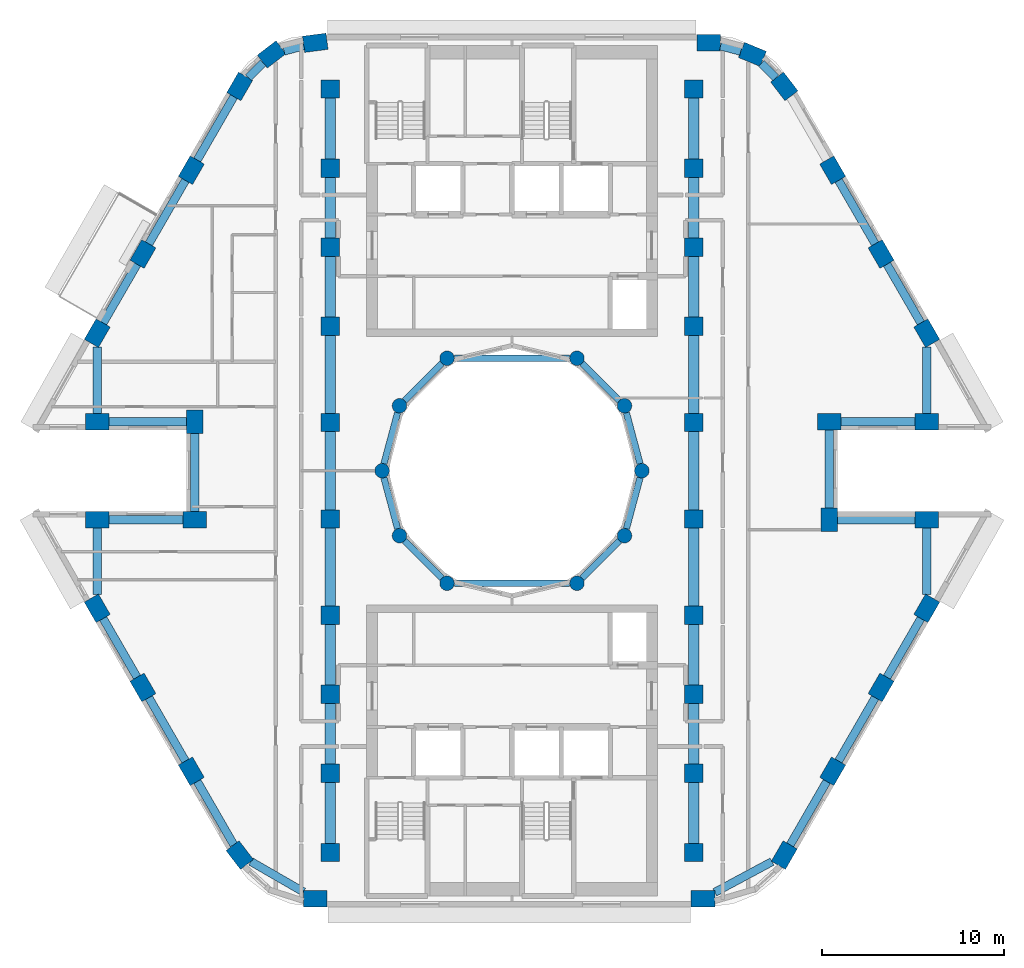
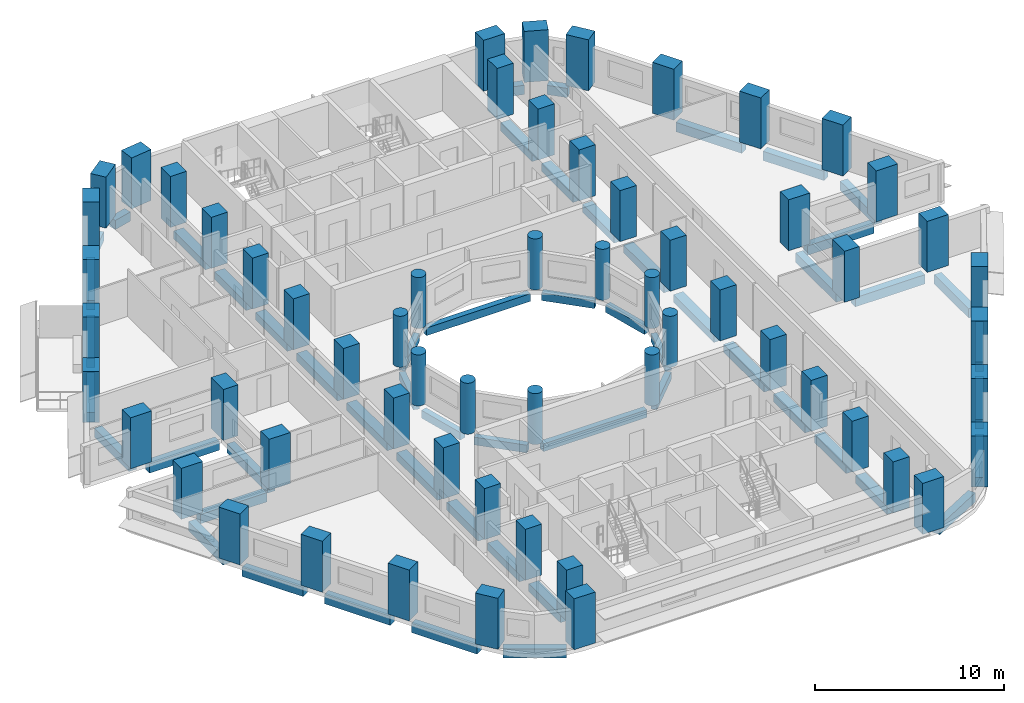
# One storey, part 1 of 13: 60 columns, 55 beams.
"""IFC4 building model written with IfcOpenShell, lengths in metres."""

from ifc_helpers import new_model, si_unit, direction, frame, origin, origin_2d, place, context, subcontext, project, spatial, rectangle, circle, extrude, material, material_profile, profile_set, type_object, element, save


model = new_model("IFC4")

# Units and contexts
model_context = context("Model", 3, precision=1e-05, world=origin(), true_north=direction((0.0, 1.0)))
body_context = subcontext(model_context, "Body", "Model", "MODEL_VIEW")
ifc_project = project(units=[si_unit("LENGTHUNIT", "METRE"), si_unit("AREAUNIT", "SQUARE_METRE"), si_unit("VOLUMEUNIT", "CUBIC_METRE"), si_unit("PLANEANGLEUNIT", "RADIAN"), si_unit("MASSUNIT", "GRAM", prefix="KILO")], contexts=[model_context])

# Site, building, storey
site_placement = place(None, origin())
site = spatial("IfcSite", under=ifc_project, at=site_placement, CompositionType="ELEMENT")
building_placement = place(site_placement, origin())
building = spatial("IfcBuilding", under=site, at=building_placement, Name="Nakaniwa Court", CompositionType="ELEMENT")
storey_placement = place(building_placement, frame((0.0, 0.0, 133.800048828125)))
storey = spatial("IfcBuildingStorey", under=building, at=storey_placement, Name="L34", CompositionType="ELEMENT", Elevation=133.800048828125)

# Columns
ifc_material = material(Name="Concrete C80/100", Category="concrete")
ifc_material_profile_1 = material_profile(ifc_material, rectangle(XDim=1.0, YDim=1.0, at=origin_2d()), Name="Concrete C80/100 RC 1000x1000 spine column")
ifc_profile_set_1 = profile_set([ifc_material_profile_1], Name="Concrete C80/100")
column_type_1 = type_object("IfcColumnType", Name="Concrete C80/100 RC 1000x1000 spine column", PredefinedType="COLUMN", material=ifc_profile_set_1)
for number, where, z_axis, x_axis, name in (
    (1, (90.0, 59.0, 0.0), (0.0, 0.0, 1.0), (0.0, 1.0, 0.0), "COLUMN CS-01"),
    (2, (90.0, 63.35009765625, 0.0), (0.0, 0.0, 1.0), (0.0, 1.0, 0.0), "COLUMN CS-02"),
    (3, (90.0, 67.699951171875, 0.0), (0.0, 0.0, 1.0), (0.0, 1.0, 0.0), "COLUMN CS-03"),
    (4, (90.0, 72.050048828125, 0.0), (0.0, 0.0, 1.0), (0.0, 1.0, 0.0), "COLUMN CS-04"),
    (5, (90.0, 77.35009765625, 0.0), (0.0, 0.0, 1.0), (0.0, 1.0, 0.0), "COLUMN CS-05"),
    (6, (90.0, 82.64990234375, 0.0), (0.0, 0.0, 1.0), (0.0, 1.0, 0.0), "COLUMN CS-06"),
    (7, (90.0, 87.949951171875, 0.0), (0.0, 0.0, 1.0), (0.0, 1.0, 0.0), "COLUMN CS-07"),
    (8, (90.0, 92.300048828125, 0.0), (0.0, 0.0, 1.0), (0.0, 1.0, 0.0), "COLUMN CS-08"),
    (9, (90.0, 96.64990234375, 0.0), (0.0, 0.0, 1.0), (0.0, 1.0, 0.0), "COLUMN CS-09"),
    (10, (90.0, 101.0, 0.0), (0.0, 0.0, 1.0), (0.0, 1.0, 0.0), "COLUMN CS-10"),
    (11, (70.0, 101.0, 0.0), (0.0, 0.0, 1.0), (0.0, -1.0, 0.0), "COLUMN CS-11"),
    (12, (70.0, 96.64990234375, 0.0), (0.0, 0.0, 1.0), (0.0, -1.0, 0.0), "COLUMN CS-12"),
    (13, (70.0, 92.300048828125, 0.0), (0.0, 0.0, 1.0), (0.0, -1.0, 0.0), "COLUMN CS-13"),
    (14, (70.0, 87.949951171875, 0.0), (0.0, 0.0, 1.0), (0.0, -1.0, 0.0), "COLUMN CS-14"),
    (15, (70.0, 82.64990234375, 0.0), (0.0, 0.0, 1.0), (0.0, -1.0, 0.0), "COLUMN CS-15"),
    (16, (70.0, 77.35009765625, 0.0), (0.0, 0.0, 1.0), (0.0, -1.0, 0.0), "COLUMN CS-16"),
    (17, (70.0, 72.050048828125, 0.0), (0.0, 0.0, 1.0), (0.0, -1.0, 0.0), "COLUMN CS-17"),
    (18, (70.0, 67.699951171875, 0.0), (0.0, 0.0, 1.0), (0.0, -1.0, 0.0), "COLUMN CS-18"),
    (19, (70.0, 63.35009765625, 0.0), (0.0, 0.0, 1.0), (0.0, -1.0, 0.0), "COLUMN CS-19"),
    (20, (70.0, 59.0, 0.0), (0.0, 0.0, 1.0), (0.0, -1.0, 0.0), "COLUMN CS-20"),
):
    element("IfcColumn", number, at=place(storey_placement, frame(where, z_axis=z_axis, x_axis=x_axis)), inside=storey, type_object=column_type_1, Name=name, PredefinedType="COLUMN", context=body_context, shape_type="SweptSolid", body=[
        extrude(rectangle(XDim=1.0, YDim=1.0, at=origin_2d()), origin(), (0.0, 0.0, 1.0), 3.300048828125),
    ])
ifc_material_profile_2 = material_profile(ifc_material, rectangle(XDim=1.300048828125, YDim=0.89990234375, at=origin_2d()), Name="Concrete C80/100 RC 1300x900 perimeter column")
ifc_profile_set_2 = profile_set([ifc_material_profile_2], Name="Concrete C80/100")
column_type_2 = type_object("IfcColumnType", Name="Concrete C80/100 RC 1300x900 perimeter column", PredefinedType="COLUMN", material=ifc_profile_set_2)
for number, where, z_axis, x_axis, name in (
    (21, (69.17529296875, 103.550048828125, 0.0), (0.0, 0.0, 1.0), (-0.991442583111, -0.130543496177, 0.0), "COLUMN CO-01"),
    (22, (66.772705078125, 102.91015625, 0.0), (0.0, 0.0, 1.0), (-0.793363965062, -0.608747582288, 0.0), "COLUMN CO-02"),
    (23, (65.017578125, 101.1494140625, 0.0), (0.0, 0.0, 1.0), (-0.5, -0.866025403784, 0.0), "COLUMN CO-03"),
    (24, (62.3544921875, 96.537109375, 0.0), (0.0, 0.0, 1.0), (-0.5, -0.866025403784, 0.0), "COLUMN CO-04"),
    (25, (59.691650390625, 91.9248046875, 0.0), (0.0, 0.0, 1.0), (-0.5, -0.866025403784, 0.0), "COLUMN CO-05"),
    (26, (57.177001953125, 87.569580078125, 0.0), (0.0, 0.0, 1.0), (-0.5, -0.866025403784, 0.0), "COLUMN CO-06"),
    (27, (57.177001953125, 82.699951171875, 0.0), (0.0, 0.0, 1.0), (1.0, 0.0, 0.0), "COLUMN CO-08"),
    (28, (62.54150390625, 82.699951171875, 0.0), (0.0, 0.0, 1.0), (0.0, -1.0, 0.0), "COLUMN CO-09"),
    (29, (62.54150390625, 77.300048828125, 0.0), (0.0, 0.0, 1.0), (-1.0, 0.0, 0.0), "COLUMN CO-10"),
    (30, (57.177001953125, 77.300048828125, 0.0), (0.0, 0.0, 1.0), (-1.0, 0.0, 0.0), "COLUMN CO-11"),
    (31, (57.177001953125, 72.430419921875, 0.0), (0.0, 0.0, 1.0), (0.5, -0.866025403784, 0.0), "COLUMN CO-13"),
    (32, (59.691650390625, 68.0751953125, 0.0), (0.0, 0.0, 1.0), (0.5, -0.866025403784, 0.0), "COLUMN CO-14"),
    (33, (62.3544921875, 63.462890625, 0.0), (0.0, 0.0, 1.0), (0.5, -0.866025403784, 0.0), "COLUMN CO-15"),
    (34, (65.017578125, 58.8505859375, 0.0), (0.0, 0.0, 1.0), (0.608761429009, -0.793353340291, 0.0), "COLUMN CO-16"),
    (35, (69.17529296875, 56.449951171875, 0.0), (0.0, 0.0, 1.0), (1.0, 0.0, 0.0), "COLUMN CO-17"),
    (36, (90.507080078125, 56.449951171875, 0.0), (0.0, 0.0, 1.0), (1.0, 0.0, 0.0), "COLUMN CO-21"),
    (37, (94.982421875, 58.8505859375, 0.0), (0.0, 0.0, 1.0), (0.5, 0.866025403784, 0.0), "COLUMN CO-22"),
    (38, (97.6455078125, 63.462890625, 0.0), (0.0, 0.0, 1.0), (0.5, 0.866025403784, 0.0), "COLUMN CO-23"),
    (39, (100.308349609375, 68.0751953125, 0.0), (0.0, 0.0, 1.0), (0.5, 0.866025403784, 0.0), "COLUMN CO-24"),
    (40, (102.822998046875, 72.430419921875, 0.0), (0.0, 0.0, 1.0), (0.5, 0.866025403784, 0.0), "COLUMN CO-25"),
    (41, (102.822998046875, 77.300048828125, 0.0), (0.0, 0.0, 1.0), (-1.0, 0.0, 0.0), "COLUMN CO-27"),
    (42, (97.45849609375, 77.300048828125, 0.0), (0.0, 0.0, 1.0), (0.0, 1.0, 0.0), "COLUMN CO-28"),
    (43, (97.45849609375, 82.699951171875, 0.0), (0.0, 0.0, 1.0), (1.0, 0.0, 0.0), "COLUMN CO-29"),
    (44, (102.822998046875, 82.699951171875, 0.0), (0.0, 0.0, 1.0), (1.0, 0.0, 0.0), "COLUMN CO-30"),
    (45, (102.822998046875, 87.569580078125, 0.0), (0.0, 0.0, 1.0), (-0.5, 0.866025403784, 0.0), "COLUMN CO-32"),
    (46, (100.308349609375, 91.9248046875, 0.0), (0.0, 0.0, 1.0), (-0.5, 0.866025403784, 0.0), "COLUMN CO-33"),
    (47, (97.6455078125, 96.537109375, 0.0), (0.0, 0.0, 1.0), (-0.5, 0.866025403784, 0.0), "COLUMN CO-34"),
    (48, (94.982421875, 101.1494140625, 0.0), (0.0, 0.0, 1.0), (-0.608761429009, 0.793353340291, 0.0), "COLUMN CO-35"),
    (49, (93.227294921875, 102.91015625, 0.0), (0.0, 0.0, 1.0), (-0.923879532511, 0.382683432365, 0.0), "COLUMN CO-36"),
    (50, (90.82470703125, 103.550048828125, 0.0), (0.0, 0.0, 1.0), (-1.0, 0.0, 0.0), "COLUMN CO-37"),
):
    element("IfcColumn", number, at=place(storey_placement, frame(where, z_axis=z_axis, x_axis=x_axis)), inside=storey, type_object=column_type_2, Name=name, PredefinedType="COLUMN", context=body_context, shape_type="SweptSolid", body=[
        extrude(rectangle(XDim=1.300048828125, YDim=0.89990234375, at=origin_2d()), origin(), (0.0, 0.0, 1.0), 3.300048828125),
    ])
ifc_material_profile_3 = material_profile(ifc_material, circle(Radius=0.39990234375, at=origin_2d()), Name="Concrete C80/100 RC D800 inner ring column")
ifc_profile_set_3 = profile_set([ifc_material_profile_3], Name="Concrete C80/100")
column_type_3 = type_object("IfcColumnType", Name="Concrete C80/100 RC D800 inner ring column", PredefinedType="COLUMN", material=ifc_profile_set_3)
for number, where, z_axis, x_axis, name in (
    (51, (87.14990234375, 80.0, 0.0), (0.0, 0.0, 1.0), (0.0, 1.0, 0.0), "COLUMN CI-01"),
    (52, (86.192138671875, 83.574951171875, 0.0), (0.0, 0.0, 1.0), (-0.5, 0.866025403784, 0.0), "COLUMN CI-02"),
    (53, (83.574951171875, 86.192138671875, 0.0), (0.0, 0.0, 1.0), (-0.866025403784, 0.5, 0.0), "COLUMN CI-03"),
    (54, (76.425048828125, 86.192138671875, 0.0), (0.0, 0.0, 1.0), (-0.866025403784, -0.5, 0.0), "COLUMN CI-05"),
    (55, (73.807861328125, 83.574951171875, 0.0), (0.0, 0.0, 1.0), (-0.5, -0.866025403784, 0.0), "COLUMN CI-06"),
    (56, (72.85009765625, 80.0, 0.0), (0.0, 0.0, 1.0), (0.0, -1.0, 0.0), "COLUMN CI-07"),
    (57, (73.807861328125, 76.425048828125, 0.0), (0.0, 0.0, 1.0), (0.5, -0.866025403784, 0.0), "COLUMN CI-08"),
    (58, (76.425048828125, 73.807861328125, 0.0), (0.0, 0.0, 1.0), (0.866025403784, -0.5, 0.0), "COLUMN CI-09"),
    (59, (83.574951171875, 73.807861328125, 0.0), (0.0, 0.0, 1.0), (0.866025403784, 0.5, 0.0), "COLUMN CI-11"),
    (60, (86.192138671875, 76.425048828125, 0.0), (0.0, 0.0, 1.0), (0.5, 0.866025403784, 0.0), "COLUMN CI-12"),
):
    element("IfcColumn", number, at=place(storey_placement, frame(where, z_axis=z_axis, x_axis=x_axis)), inside=storey, type_object=column_type_3, Name=name, PredefinedType="COLUMN", context=body_context, shape_type="SweptSolid", body=[
        extrude(circle(Radius=0.39990234375, at=origin_2d()), origin(), (0.0, 0.0, 1.0), 3.300048828125),
    ])

# Beams
ifc_material_profile_4 = material_profile(ifc_material, rectangle(XDim=0.35009765625, YDim=0.5, at=origin_2d()), Name="Concrete C80/100 RC 350x500 ring beam")
ifc_profile_set_4 = profile_set([ifc_material_profile_4], Name="Concrete C80/100")
beam_type_1 = type_object("IfcBeamType", Name="Concrete C80/100 RC 350x500 ring beam", PredefinedType="BEAM", material=ifc_profile_set_4)
beam_1_placement = place(storey_placement, frame((87.04638671875, 80.386474609375, -0.525146484375), z_axis=(-0.258778150207, 0.965936783115, 0.0), x_axis=(-0.965936783115, -0.258778150207, 0.0)))
element("IfcBeam", 61, at=beam_1_placement, inside=storey, type_object=beam_type_1, Name="RING BEAM", PredefinedType="BEAM", context=body_context, shape_type="SweptSolid", body=[
    extrude(rectangle(XDim=0.35009765625, YDim=0.5, at=origin_2d()), origin(), (0.0, 0.0, 1.0), 2.901123046875),
])
beam_2_placement = place(storey_placement, frame((85.9091796875, 83.85791015625, -0.525146484375), z_axis=(-0.707106781187, 0.707106781187, 0.0), x_axis=(-0.707106781187, -0.707106781187, 0.0)))
element("IfcBeam", 62, at=beam_2_placement, inside=storey, type_object=beam_type_1, Name="RING BEAM", PredefinedType="BEAM", context=body_context, shape_type="SweptSolid", body=[
    extrude(rectangle(XDim=0.35009765625, YDim=0.5, at=origin_2d()), origin(), (0.0, 0.0, 1.0), 2.90087890625),
])
beam_3_placement = place(storey_placement, frame((83.175048828125, 86.192138671875, -0.525146484375), z_axis=(-1.0, 0.0, 0.0), x_axis=(0.0, -1.0, 0.0)))
element("IfcBeam", 63, at=beam_3_placement, inside=storey, type_object=beam_type_1, Name="RING BEAM", PredefinedType="BEAM", context=body_context, shape_type="SweptSolid", body=[
    extrude(rectangle(XDim=0.35009765625, YDim=0.5, at=origin_2d()), origin(), (0.0, 0.0, 1.0), 6.35009765625),
])
beam_4_placement = place(storey_placement, frame((76.14208984375, 85.9091796875, -0.525146484375), z_axis=(-0.707106781187, -0.707106781187, 0.0), x_axis=(0.707106781187, -0.707106781187, 0.0)))
element("IfcBeam", 64, at=beam_4_placement, inside=storey, type_object=beam_type_1, Name="RING BEAM", PredefinedType="BEAM", context=body_context, shape_type="SweptSolid", body=[
    extrude(rectangle(XDim=0.35009765625, YDim=0.5, at=origin_2d()), origin(), (0.0, 0.0, 1.0), 2.90087890625),
])
for number, where, z_axis, x_axis, name in (
    (65, (73.704345703125, 83.188720703125, -0.525146484375), (-0.258778150207, -0.965936783115, 0.0), (0.965936783115, -0.258778150207, 0.0), "RING BEAM"),
    (66, (72.95361328125, 79.613525390625, -0.525146484375), (0.258778150207, -0.965936783115, 0.0), (0.965936783115, 0.258778150207, 0.0), "RING BEAM"),
):
    element("IfcBeam", number, at=place(storey_placement, frame(where, z_axis=z_axis, x_axis=x_axis)), inside=storey, type_object=beam_type_1, Name=name, PredefinedType="BEAM", context=body_context, shape_type="SweptSolid", body=[
        extrude(rectangle(XDim=0.35009765625, YDim=0.5, at=origin_2d()), origin(), (0.0, 0.0, 1.0), 2.901123046875),
    ])
beam_5_placement = place(storey_placement, frame((74.0908203125, 76.14208984375, -0.525146484375), z_axis=(0.707106781187, -0.707106781187, 0.0), x_axis=(0.707106781187, 0.707106781187, 0.0)))
element("IfcBeam", 67, at=beam_5_placement, inside=storey, type_object=beam_type_1, Name="RING BEAM", PredefinedType="BEAM", context=body_context, shape_type="SweptSolid", body=[
    extrude(rectangle(XDim=0.35009765625, YDim=0.5, at=origin_2d()), origin(), (0.0, 0.0, 1.0), 2.90087890625),
])
beam_6_placement = place(storey_placement, frame((76.824951171875, 73.807861328125, -0.525146484375), z_axis=(1.0, 0.0, 0.0), x_axis=(0.0, 1.0, 0.0)))
element("IfcBeam", 68, at=beam_6_placement, inside=storey, type_object=beam_type_1, Name="RING BEAM", PredefinedType="BEAM", context=body_context, shape_type="SweptSolid", body=[
    extrude(rectangle(XDim=0.35009765625, YDim=0.5, at=origin_2d()), origin(), (0.0, 0.0, 1.0), 6.35009765625),
])
beam_7_placement = place(storey_placement, frame((83.85791015625, 74.0908203125, -0.525146484375), z_axis=(0.707106781187, 0.707106781187, 0.0), x_axis=(-0.707106781187, 0.707106781187, 0.0)))
element("IfcBeam", 69, at=beam_7_placement, inside=storey, type_object=beam_type_1, Name="RING BEAM", PredefinedType="BEAM", context=body_context, shape_type="SweptSolid", body=[
    extrude(rectangle(XDim=0.35009765625, YDim=0.5, at=origin_2d()), origin(), (0.0, 0.0, 1.0), 2.90087890625),
])
beam_8_placement = place(storey_placement, frame((86.295654296875, 76.811279296875, -0.525146484375), z_axis=(0.258778150207, 0.965936783115, 0.0), x_axis=(-0.965936783115, 0.258778150207, 0.0)))
element("IfcBeam", 70, at=beam_8_placement, inside=storey, type_object=beam_type_1, Name="RING BEAM", PredefinedType="BEAM", context=body_context, shape_type="SweptSolid", body=[
    extrude(rectangle(XDim=0.35009765625, YDim=0.5, at=origin_2d()), origin(), (0.0, 0.0, 1.0), 2.901123046875),
])
ifc_material_profile_5 = material_profile(ifc_material, rectangle(XDim=0.449951171875, YDim=0.60009765625, at=origin_2d()), Name="Concrete C80/100 RC 450x600 spandrel beam")
ifc_profile_set_5 = profile_set([ifc_material_profile_5], Name="Concrete C80/100")
beam_type_2 = type_object("IfcBeamType", Name="Concrete C80/100 RC 450x600 spandrel beam", PredefinedType="BEAM", material=ifc_profile_set_5)
beam_9_placement = place(storey_placement, frame((68.5419921875, 103.38134765625, -0.574951171875), z_axis=(-0.966321172043, -0.257339061284, 0.0), x_axis=(0.257339061284, -0.966321172043, 0.0)))
element("IfcBeam", 71, at=beam_9_placement, inside=storey, type_object=beam_type_2, Name="SPANDREL BEAM", PredefinedType="BEAM", context=body_context, shape_type="SweptSolid", body=[
    extrude(rectangle(XDim=0.449951171875, YDim=0.60009765625, at=origin_2d()), origin(), (0.0, 0.0, 1.0), 1.126953125),
])
beam_10_placement = place(storey_placement, frame((66.309814453125, 102.44580078125, -0.574951171875), z_axis=(-0.706051557188, -0.708160432807, 0.0), x_axis=(0.708160432807, -0.706051557188, 0.0)))
element("IfcBeam", 72, at=beam_10_placement, inside=storey, type_object=beam_type_2, Name="SPANDREL BEAM", PredefinedType="BEAM", context=body_context, shape_type="SweptSolid", body=[
    extrude(rectangle(XDim=0.449951171875, YDim=0.60009765625, at=origin_2d()), origin(), (0.0, 0.0, 1.0), 1.15771484375),
])
for number, where, z_axis, x_axis, name in (
    (73, (64.6923828125, 100.586669921875, -0.574951171875), (-0.499993669216, -0.866029058833, 0.0), (0.866029058833, -0.499993669216, 0.0), "SPANDREL BEAM"),
    (74, (62.029541015625, 95.97412109375, -0.574951171875), (-0.499993669216, -0.866029058833, 0.0), (0.866029058833, -0.499993669216, 0.0), "SPANDREL BEAM"),
):
    element("IfcBeam", number, at=place(storey_placement, frame(where, z_axis=z_axis, x_axis=x_axis)), inside=storey, type_object=beam_type_2, Name=name, PredefinedType="BEAM", context=body_context, shape_type="SweptSolid", body=[
        extrude(rectangle(XDim=0.449951171875, YDim=0.60009765625, at=origin_2d()), origin(), (0.0, 0.0, 1.0), 4.02587890625),
    ])
beam_11_placement = place(storey_placement, frame((59.36669921875, 91.36181640625, -0.574951171875), z_axis=(-0.50001905207, -0.866014403787, 0.0), x_axis=(0.866014403787, -0.50001905207, 0.0)))
element("IfcBeam", 75, at=beam_11_placement, inside=storey, type_object=beam_type_2, Name="SPANDREL BEAM", PredefinedType="BEAM", context=body_context, shape_type="SweptSolid", body=[
    extrude(rectangle(XDim=0.449951171875, YDim=0.60009765625, at=origin_2d()), origin(), (0.0, 0.0, 1.0), 3.728759765625),
])
beam_12_placement = place(storey_placement, frame((57.177001953125, 86.819091796875, -0.574951171875), z_axis=(0.0, -1.0, 0.0), x_axis=(1.0, 0.0, 0.0)))
element("IfcBeam", 76, at=beam_12_placement, inside=storey, type_object=beam_type_2, Name="SPANDREL BEAM", PredefinedType="BEAM", context=body_context, shape_type="SweptSolid", body=[
    extrude(rectangle(XDim=0.449951171875, YDim=0.60009765625, at=origin_2d()), origin(), (0.0, 0.0, 1.0), 3.669189453125),
])
beam_13_placement = place(storey_placement, frame((57.8271484375, 82.699951171875, -0.574951171875), z_axis=(1.0, 0.0, 0.0), x_axis=(0.0, 1.0, 0.0)))
element("IfcBeam", 77, at=beam_13_placement, inside=storey, type_object=beam_type_2, Name="SPANDREL BEAM", PredefinedType="BEAM", context=body_context, shape_type="SweptSolid", body=[
    extrude(rectangle(XDim=0.449951171875, YDim=0.60009765625, at=origin_2d()), origin(), (0.0, 0.0, 1.0), 4.264404296875),
])
beam_14_placement = place(storey_placement, frame((62.54150390625, 82.050048828125, -0.574951171875), z_axis=(0.0, -1.0, 0.0), x_axis=(1.0, 0.0, 0.0)))
element("IfcBeam", 78, at=beam_14_placement, inside=storey, type_object=beam_type_2, Name="SPANDREL BEAM", PredefinedType="BEAM", context=body_context, shape_type="SweptSolid", body=[
    extrude(rectangle(XDim=0.449951171875, YDim=0.60009765625, at=origin_2d()), origin(), (0.0, 0.0, 1.0), 4.300048828125),
])
beam_15_placement = place(storey_placement, frame((61.8916015625, 77.300048828125, -0.574951171875), z_axis=(-1.0, 0.0, 0.0), x_axis=(0.0, -1.0, 0.0)))
element("IfcBeam", 79, at=beam_15_placement, inside=storey, type_object=beam_type_2, Name="SPANDREL BEAM", PredefinedType="BEAM", context=body_context, shape_type="SweptSolid", body=[
    extrude(rectangle(XDim=0.449951171875, YDim=0.60009765625, at=origin_2d()), origin(), (0.0, 0.0, 1.0), 4.064453125),
])
beam_16_placement = place(storey_placement, frame((57.177001953125, 76.85009765625, -0.574951171875), z_axis=(0.0, -1.0, 0.0), x_axis=(1.0, 0.0, 0.0)))
element("IfcBeam", 80, at=beam_16_placement, inside=storey, type_object=beam_type_2, Name="SPANDREL BEAM", PredefinedType="BEAM", context=body_context, shape_type="SweptSolid", body=[
    extrude(rectangle(XDim=0.449951171875, YDim=0.60009765625, at=origin_2d()), origin(), (0.0, 0.0, 1.0), 3.669189453125),
])
beam_17_placement = place(storey_placement, frame((57.502197265625, 71.867431640625, -0.574951171875), z_axis=(0.50001905207, -0.866014403787, 0.0), x_axis=(0.866014403787, 0.50001905207, 0.0)))
element("IfcBeam", 81, at=beam_17_placement, inside=storey, type_object=beam_type_2, Name="SPANDREL BEAM", PredefinedType="BEAM", context=body_context, shape_type="SweptSolid", body=[
    extrude(rectangle(XDim=0.449951171875, YDim=0.60009765625, at=origin_2d()), origin(), (0.0, 0.0, 1.0), 3.728759765625),
])
beam_18_placement = place(storey_placement, frame((60.0166015625, 67.512451171875, -0.574951171875), z_axis=(0.499993669216, -0.866029058833, 0.0), x_axis=(0.866029058833, 0.499993669216, 0.0)))
element("IfcBeam", 82, at=beam_18_placement, inside=storey, type_object=beam_type_2, Name="SPANDREL BEAM", PredefinedType="BEAM", context=body_context, shape_type="SweptSolid", body=[
    extrude(rectangle(XDim=0.449951171875, YDim=0.60009765625, at=origin_2d()), origin(), (0.0, 0.0, 1.0), 4.02587890625),
])
beam_19_placement = place(storey_placement, frame((62.679443359375, 62.89990234375, -0.574951171875), z_axis=(0.500018573463, -0.866014680125, 0.0), x_axis=(0.866014680125, 0.500018573463, 0.0)))
element("IfcBeam", 83, at=beam_19_placement, inside=storey, type_object=beam_type_2, Name="SPANDREL BEAM", PredefinedType="BEAM", context=body_context, shape_type="SweptSolid", body=[
    extrude(rectangle(XDim=0.449951171875, YDim=0.60009765625, at=origin_2d()), origin(), (0.0, 0.0, 1.0), 4.020263671875),
])
beam_20_placement = place(storey_placement, frame((65.626708984375, 58.498779296875, -0.574951171875), z_axis=(0.866021605644, -0.500006578514, 0.0), x_axis=(0.500006578514, 0.866021605644, 0.0)))
element("IfcBeam", 84, at=beam_20_placement, inside=storey, type_object=beam_type_2, Name="SPANDREL BEAM", PredefinedType="BEAM", context=body_context, shape_type="SweptSolid", body=[
    extrude(rectangle(XDim=0.449951171875, YDim=0.60009765625, at=origin_2d()), origin(), (0.0, 0.0, 1.0), 3.34716796875),
])
beam_21_placement = place(storey_placement, frame((91.156982421875, 56.798583984375, -0.574951171875), z_axis=(0.881239336512, 0.472670320397, 0.0), x_axis=(-0.472670320397, 0.881239336512, 0.0)))
element("IfcBeam", 85, at=beam_21_placement, inside=storey, type_object=beam_type_2, Name="SPANDREL BEAM", PredefinedType="BEAM", context=body_context, shape_type="SweptSolid", body=[
    extrude(rectangle(XDim=0.449951171875, YDim=0.60009765625, at=origin_2d()), origin(), (0.0, 0.0, 1.0), 3.576416015625),
])
for number, where, z_axis, x_axis, name in (
    (86, (95.3076171875, 59.413330078125, -0.574951171875), (0.499993669216, 0.866029058833, 0.0), (-0.866029058833, 0.499993669216, 0.0), "SPANDREL BEAM"),
    (87, (97.970458984375, 64.02587890625, -0.574951171875), (0.499993669216, 0.866029058833, 0.0), (-0.866029058833, 0.499993669216, 0.0), "SPANDREL BEAM"),
):
    element("IfcBeam", number, at=place(storey_placement, frame(where, z_axis=z_axis, x_axis=x_axis)), inside=storey, type_object=beam_type_2, Name=name, PredefinedType="BEAM", context=body_context, shape_type="SweptSolid", body=[
        extrude(rectangle(XDim=0.449951171875, YDim=0.60009765625, at=origin_2d()), origin(), (0.0, 0.0, 1.0), 4.02587890625),
    ])
beam_22_placement = place(storey_placement, frame((100.63330078125, 68.63818359375, -0.574951171875), z_axis=(0.50001905207, 0.866014403787, 0.0), x_axis=(-0.866014403787, 0.50001905207, 0.0)))
element("IfcBeam", 88, at=beam_22_placement, inside=storey, type_object=beam_type_2, Name="SPANDREL BEAM", PredefinedType="BEAM", context=body_context, shape_type="SweptSolid", body=[
    extrude(rectangle(XDim=0.449951171875, YDim=0.60009765625, at=origin_2d()), origin(), (0.0, 0.0, 1.0), 3.728759765625),
])
beam_23_placement = place(storey_placement, frame((102.822998046875, 73.180908203125, -0.574951171875), z_axis=(0.0, 1.0, 0.0), x_axis=(-1.0, 0.0, 0.0)))
element("IfcBeam", 89, at=beam_23_placement, inside=storey, type_object=beam_type_2, Name="SPANDREL BEAM", PredefinedType="BEAM", context=body_context, shape_type="SweptSolid", body=[
    extrude(rectangle(XDim=0.449951171875, YDim=0.60009765625, at=origin_2d()), origin(), (0.0, 0.0, 1.0), 3.669189453125),
])
beam_24_placement = place(storey_placement, frame((102.1728515625, 77.300048828125, -0.574951171875), z_axis=(-1.0, 0.0, 0.0), x_axis=(0.0, -1.0, 0.0)))
element("IfcBeam", 90, at=beam_24_placement, inside=storey, type_object=beam_type_2, Name="SPANDREL BEAM", PredefinedType="BEAM", context=body_context, shape_type="SweptSolid", body=[
    extrude(rectangle(XDim=0.449951171875, YDim=0.60009765625, at=origin_2d()), origin(), (0.0, 0.0, 1.0), 4.264404296875),
])
beam_25_placement = place(storey_placement, frame((97.45849609375, 77.949951171875, -0.574951171875), z_axis=(0.0, 1.0, 0.0), x_axis=(-1.0, 0.0, 0.0)))
element("IfcBeam", 91, at=beam_25_placement, inside=storey, type_object=beam_type_2, Name="SPANDREL BEAM", PredefinedType="BEAM", context=body_context, shape_type="SweptSolid", body=[
    extrude(rectangle(XDim=0.449951171875, YDim=0.60009765625, at=origin_2d()), origin(), (0.0, 0.0, 1.0), 4.300048828125),
])
beam_26_placement = place(storey_placement, frame((98.1083984375, 82.699951171875, -0.574951171875), z_axis=(1.0, 0.0, 0.0), x_axis=(0.0, 1.0, 0.0)))
element("IfcBeam", 92, at=beam_26_placement, inside=storey, type_object=beam_type_2, Name="SPANDREL BEAM", PredefinedType="BEAM", context=body_context, shape_type="SweptSolid", body=[
    extrude(rectangle(XDim=0.449951171875, YDim=0.60009765625, at=origin_2d()), origin(), (0.0, 0.0, 1.0), 4.064453125),
])
beam_27_placement = place(storey_placement, frame((102.822998046875, 83.14990234375, -0.574951171875), z_axis=(0.0, 1.0, 0.0), x_axis=(-1.0, 0.0, 0.0)))
element("IfcBeam", 93, at=beam_27_placement, inside=storey, type_object=beam_type_2, Name="SPANDREL BEAM", PredefinedType="BEAM", context=body_context, shape_type="SweptSolid", body=[
    extrude(rectangle(XDim=0.449951171875, YDim=0.60009765625, at=origin_2d()), origin(), (0.0, 0.0, 1.0), 3.669189453125),
])
beam_28_placement = place(storey_placement, frame((102.497802734375, 88.132568359375, -0.574951171875), z_axis=(-0.50001905207, 0.866014403787, 0.0), x_axis=(-0.866014403787, -0.50001905207, 0.0)))
element("IfcBeam", 94, at=beam_28_placement, inside=storey, type_object=beam_type_2, Name="SPANDREL BEAM", PredefinedType="BEAM", context=body_context, shape_type="SweptSolid", body=[
    extrude(rectangle(XDim=0.449951171875, YDim=0.60009765625, at=origin_2d()), origin(), (0.0, 0.0, 1.0), 3.728759765625),
])
beam_29_placement = place(storey_placement, frame((99.9833984375, 92.487548828125, -0.574951171875), z_axis=(-0.499993669216, 0.866029058833, 0.0), x_axis=(-0.866029058833, -0.499993669216, 0.0)))
element("IfcBeam", 95, at=beam_29_placement, inside=storey, type_object=beam_type_2, Name="SPANDREL BEAM", PredefinedType="BEAM", context=body_context, shape_type="SweptSolid", body=[
    extrude(rectangle(XDim=0.449951171875, YDim=0.60009765625, at=origin_2d()), origin(), (0.0, 0.0, 1.0), 4.02587890625),
])
beam_30_placement = place(storey_placement, frame((94.519775390625, 101.61376953125, -0.574951171875), z_axis=(-0.706022429805, 0.708189472254, 0.0), x_axis=(-0.708189472254, -0.706022429805, 0.0)))
element("IfcBeam", 96, at=beam_30_placement, inside=storey, type_object=beam_type_2, Name="SPANDREL BEAM", PredefinedType="BEAM", context=body_context, shape_type="SweptSolid", body=[
    extrude(rectangle(XDim=0.449951171875, YDim=0.60009765625, at=origin_2d()), origin(), (0.0, 0.0, 1.0), 1.126708984375),
])
beam_31_placement = place(storey_placement, frame((92.593505859375, 103.078857421875, -0.574951171875), z_axis=(-0.966294404875, 0.257439552335, 0.0), x_axis=(-0.257439552335, -0.966294404875, 0.0)))
element("IfcBeam", 97, at=beam_31_placement, inside=storey, type_object=beam_type_2, Name="SPANDREL BEAM", PredefinedType="BEAM", context=body_context, shape_type="SweptSolid", body=[
    extrude(rectangle(XDim=0.449951171875, YDim=0.60009765625, at=origin_2d()), origin(), (0.0, 0.0, 1.0), 1.157958984375),
])
ifc_material_profile_6 = material_profile(ifc_material, rectangle(XDim=0.60009765625, YDim=0.5, at=origin_2d()), Name="Concrete C80/100 RC 600x500 ring beam")
ifc_profile_set_6 = profile_set([ifc_material_profile_6], Name="Concrete C80/100")
beam_type_3 = type_object("IfcBeamType", Name="Concrete C80/100 RC 600x500 ring beam", PredefinedType="BEAM", material=ifc_profile_set_6)
beam_32_placement = place(storey_placement, frame((90.0, 59.5, -0.525146484375), z_axis=(0.0, 1.0, 0.0), x_axis=(-1.0, 0.0, 0.0)))
element("IfcBeam", 98, at=beam_32_placement, inside=storey, type_object=beam_type_3, Name="RING BEAM", PredefinedType="BEAM", context=body_context, shape_type="SweptSolid", body=[
    extrude(rectangle(XDim=0.60009765625, YDim=0.5, at=origin_2d()), origin(), (0.0, 0.0, 1.0), 3.35009765625),
])
beam_33_placement = place(storey_placement, frame((90.0, 63.85009765625, -0.525146484375), z_axis=(0.0, 1.0, 0.0), x_axis=(-1.0, 0.0, 0.0)))
element("IfcBeam", 99, at=beam_33_placement, inside=storey, type_object=beam_type_3, Name="RING BEAM", PredefinedType="BEAM", context=body_context, shape_type="SweptSolid", body=[
    extrude(rectangle(XDim=0.60009765625, YDim=0.5, at=origin_2d()), origin(), (0.0, 0.0, 1.0), 3.349853515625),
])
beam_34_placement = place(storey_placement, frame((90.0, 68.199951171875, -0.525146484375), z_axis=(0.0, 1.0, 0.0), x_axis=(-1.0, 0.0, 0.0)))
element("IfcBeam", 100, at=beam_34_placement, inside=storey, type_object=beam_type_3, Name="RING BEAM", PredefinedType="BEAM", context=body_context, shape_type="SweptSolid", body=[
    extrude(rectangle(XDim=0.60009765625, YDim=0.5, at=origin_2d()), origin(), (0.0, 0.0, 1.0), 3.35009765625),
])
beam_35_placement = place(storey_placement, frame((90.0, 72.550048828125, -0.525146484375), z_axis=(0.0, 1.0, 0.0), x_axis=(-1.0, 0.0, 0.0)))
element("IfcBeam", 101, at=beam_35_placement, inside=storey, type_object=beam_type_3, Name="RING BEAM", PredefinedType="BEAM", context=body_context, shape_type="SweptSolid", body=[
    extrude(rectangle(XDim=0.60009765625, YDim=0.5, at=origin_2d()), origin(), (0.0, 0.0, 1.0), 4.300048828125),
])
beam_36_placement = place(storey_placement, frame((90.0, 77.85009765625, -0.525146484375), z_axis=(0.0, 1.0, 0.0), x_axis=(-1.0, 0.0, 0.0)))
element("IfcBeam", 102, at=beam_36_placement, inside=storey, type_object=beam_type_3, Name="RING BEAM", PredefinedType="BEAM", context=body_context, shape_type="SweptSolid", body=[
    extrude(rectangle(XDim=0.60009765625, YDim=0.5, at=origin_2d()), origin(), (0.0, 0.0, 1.0), 4.2998046875),
])
beam_37_placement = place(storey_placement, frame((90.0, 83.14990234375, -0.525146484375), z_axis=(0.0, 1.0, 0.0), x_axis=(-1.0, 0.0, 0.0)))
element("IfcBeam", 103, at=beam_37_placement, inside=storey, type_object=beam_type_3, Name="RING BEAM", PredefinedType="BEAM", context=body_context, shape_type="SweptSolid", body=[
    extrude(rectangle(XDim=0.60009765625, YDim=0.5, at=origin_2d()), origin(), (0.0, 0.0, 1.0), 4.300048828125),
])
beam_38_placement = place(storey_placement, frame((90.0, 88.449951171875, -0.525146484375), z_axis=(0.0, 1.0, 0.0), x_axis=(-1.0, 0.0, 0.0)))
element("IfcBeam", 104, at=beam_38_placement, inside=storey, type_object=beam_type_3, Name="RING BEAM", PredefinedType="BEAM", context=body_context, shape_type="SweptSolid", body=[
    extrude(rectangle(XDim=0.60009765625, YDim=0.5, at=origin_2d()), origin(), (0.0, 0.0, 1.0), 3.35009765625),
])
beam_39_placement = place(storey_placement, frame((90.0, 92.800048828125, -0.525146484375), z_axis=(0.0, 1.0, 0.0), x_axis=(-1.0, 0.0, 0.0)))
element("IfcBeam", 105, at=beam_39_placement, inside=storey, type_object=beam_type_3, Name="RING BEAM", PredefinedType="BEAM", context=body_context, shape_type="SweptSolid", body=[
    extrude(rectangle(XDim=0.60009765625, YDim=0.5, at=origin_2d()), origin(), (0.0, 0.0, 1.0), 3.349853515625),
])
for number, where, z_axis, x_axis, name in (
    (106, (90.0, 97.14990234375, -0.525146484375), (0.0, 1.0, 0.0), (-1.0, 0.0, 0.0), "RING BEAM"),
    (107, (70.0, 100.5, -0.525146484375), (0.0, -1.0, 0.0), (1.0, 0.0, 0.0), "RING BEAM"),
):
    element("IfcBeam", number, at=place(storey_placement, frame(where, z_axis=z_axis, x_axis=x_axis)), inside=storey, type_object=beam_type_3, Name=name, PredefinedType="BEAM", context=body_context, shape_type="SweptSolid", body=[
        extrude(rectangle(XDim=0.60009765625, YDim=0.5, at=origin_2d()), origin(), (0.0, 0.0, 1.0), 3.35009765625),
    ])
beam_40_placement = place(storey_placement, frame((70.0, 96.14990234375, -0.525146484375), z_axis=(0.0, -1.0, 0.0), x_axis=(1.0, 0.0, 0.0)))
element("IfcBeam", 108, at=beam_40_placement, inside=storey, type_object=beam_type_3, Name="RING BEAM", PredefinedType="BEAM", context=body_context, shape_type="SweptSolid", body=[
    extrude(rectangle(XDim=0.60009765625, YDim=0.5, at=origin_2d()), origin(), (0.0, 0.0, 1.0), 3.349853515625),
])
beam_41_placement = place(storey_placement, frame((70.0, 91.800048828125, -0.525146484375), z_axis=(0.0, -1.0, 0.0), x_axis=(1.0, 0.0, 0.0)))
element("IfcBeam", 109, at=beam_41_placement, inside=storey, type_object=beam_type_3, Name="RING BEAM", PredefinedType="BEAM", context=body_context, shape_type="SweptSolid", body=[
    extrude(rectangle(XDim=0.60009765625, YDim=0.5, at=origin_2d()), origin(), (0.0, 0.0, 1.0), 3.35009765625),
])
beam_42_placement = place(storey_placement, frame((70.0, 87.449951171875, -0.525146484375), z_axis=(0.0, -1.0, 0.0), x_axis=(1.0, 0.0, 0.0)))
element("IfcBeam", 110, at=beam_42_placement, inside=storey, type_object=beam_type_3, Name="RING BEAM", PredefinedType="BEAM", context=body_context, shape_type="SweptSolid", body=[
    extrude(rectangle(XDim=0.60009765625, YDim=0.5, at=origin_2d()), origin(), (0.0, 0.0, 1.0), 4.300048828125),
])
beam_43_placement = place(storey_placement, frame((70.0, 82.14990234375, -0.525146484375), z_axis=(0.0, -1.0, 0.0), x_axis=(1.0, 0.0, 0.0)))
element("IfcBeam", 111, at=beam_43_placement, inside=storey, type_object=beam_type_3, Name="RING BEAM", PredefinedType="BEAM", context=body_context, shape_type="SweptSolid", body=[
    extrude(rectangle(XDim=0.60009765625, YDim=0.5, at=origin_2d()), origin(), (0.0, 0.0, 1.0), 4.2998046875),
])
beam_44_placement = place(storey_placement, frame((70.0, 76.85009765625, -0.525146484375), z_axis=(0.0, -1.0, 0.0), x_axis=(1.0, 0.0, 0.0)))
element("IfcBeam", 112, at=beam_44_placement, inside=storey, type_object=beam_type_3, Name="RING BEAM", PredefinedType="BEAM", context=body_context, shape_type="SweptSolid", body=[
    extrude(rectangle(XDim=0.60009765625, YDim=0.5, at=origin_2d()), origin(), (0.0, 0.0, 1.0), 4.300048828125),
])
beam_45_placement = place(storey_placement, frame((70.0, 71.550048828125, -0.525146484375), z_axis=(0.0, -1.0, 0.0), x_axis=(1.0, 0.0, 0.0)))
element("IfcBeam", 113, at=beam_45_placement, inside=storey, type_object=beam_type_3, Name="RING BEAM", PredefinedType="BEAM", context=body_context, shape_type="SweptSolid", body=[
    extrude(rectangle(XDim=0.60009765625, YDim=0.5, at=origin_2d()), origin(), (0.0, 0.0, 1.0), 3.35009765625),
])
beam_46_placement = place(storey_placement, frame((70.0, 67.199951171875, -0.525146484375), z_axis=(0.0, -1.0, 0.0), x_axis=(1.0, 0.0, 0.0)))
element("IfcBeam", 114, at=beam_46_placement, inside=storey, type_object=beam_type_3, Name="RING BEAM", PredefinedType="BEAM", context=body_context, shape_type="SweptSolid", body=[
    extrude(rectangle(XDim=0.60009765625, YDim=0.5, at=origin_2d()), origin(), (0.0, 0.0, 1.0), 3.349853515625),
])
beam_47_placement = place(storey_placement, frame((70.0, 62.85009765625, -0.525146484375), z_axis=(0.0, -1.0, 0.0), x_axis=(1.0, 0.0, 0.0)))
element("IfcBeam", 115, at=beam_47_placement, inside=storey, type_object=beam_type_3, Name="RING BEAM", PredefinedType="BEAM", context=body_context, shape_type="SweptSolid", body=[
    extrude(rectangle(XDim=0.60009765625, YDim=0.5, at=origin_2d()), origin(), (0.0, 0.0, 1.0), 3.35009765625),
])

save(model, "model.ifc")
